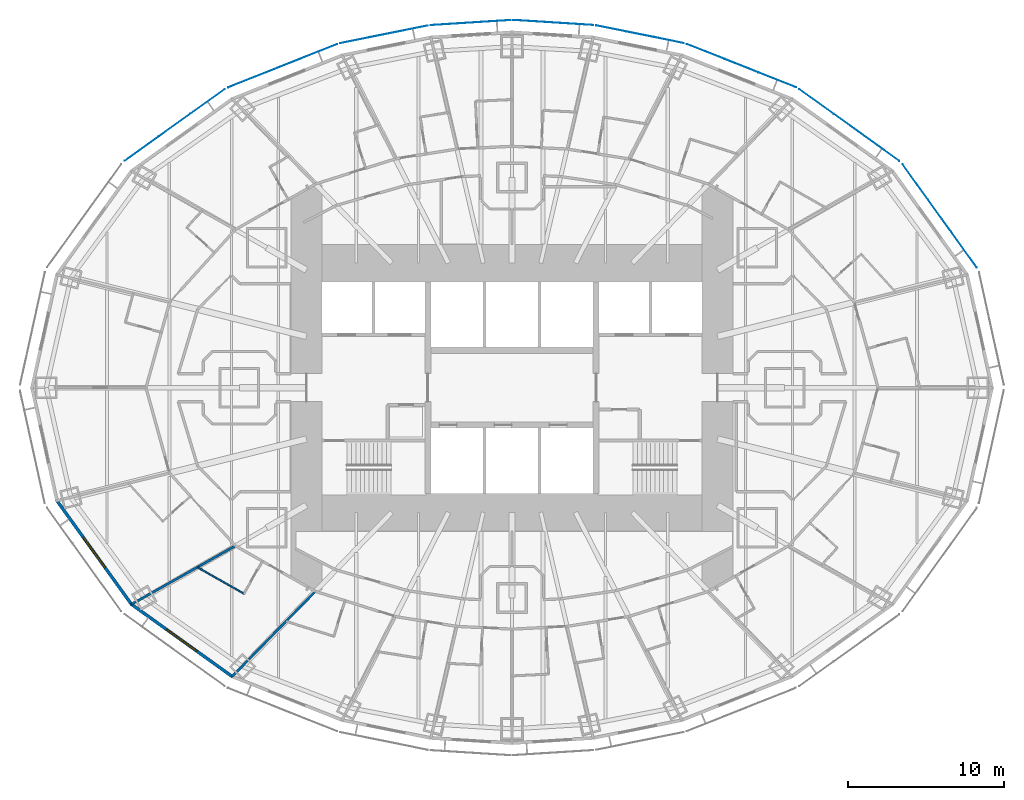
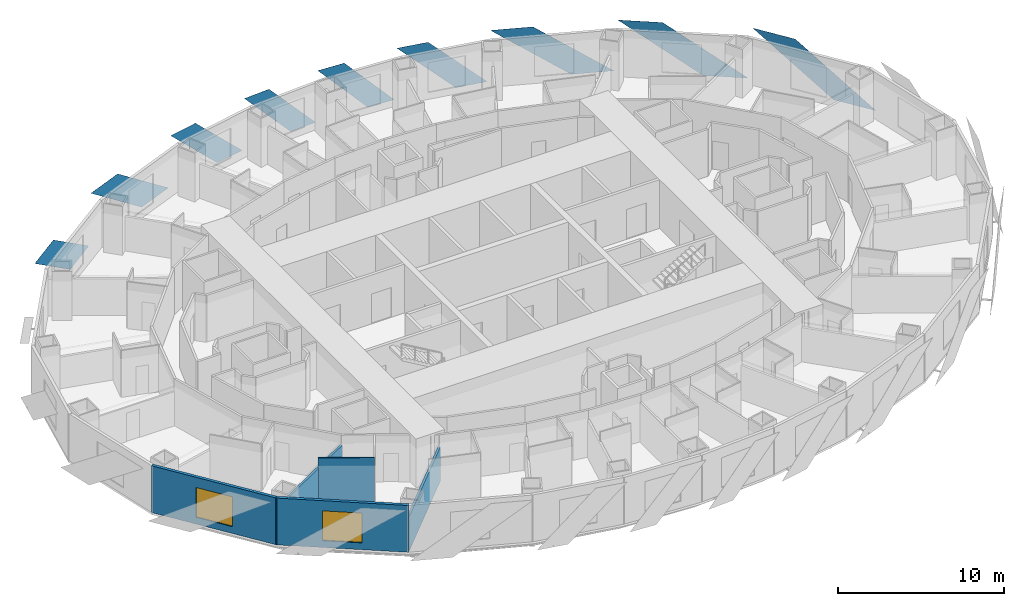
# One storey, part 4 of 17: 9 plates, 5 walls, 2 windows, 2 openings.
"""IFC4 building model written with IfcOpenShell, lengths in metres."""

from ifc_helpers import new_model, si_unit, direction, frame, frame_2d, origin, place, context, subcontext, project, spatial, polyline, rectangle, outline, extrude, material, layer, layer_set, type_object, element, fill, save


model = new_model("IFC4")

# Units and contexts
model_context = context("Model", 3, precision=1e-05, world=origin(), true_north=direction((0.0, 1.0)))
body_context = subcontext(model_context, "Body", "Model", "MODEL_VIEW")
ifc_project = project(units=[si_unit("LENGTHUNIT", "METRE"), si_unit("AREAUNIT", "SQUARE_METRE"), si_unit("VOLUMEUNIT", "CUBIC_METRE"), si_unit("PLANEANGLEUNIT", "RADIAN"), si_unit("MASSUNIT", "GRAM", prefix="KILO")], contexts=[model_context])

# Site, building, storey
site_placement = place(None, origin())
site = spatial("IfcSite", under=ifc_project, at=site_placement, CompositionType="ELEMENT")
building_placement = place(site_placement, origin())
building = spatial("IfcBuilding", under=site, at=building_placement, Name="Lantaw Convention Tower", CompositionType="ELEMENT")
storey_placement = place(building_placement, frame((0.0, 0.0, 40.60009765625)))
storey = spatial("IfcBuildingStorey", under=building, at=storey_placement, Name="L07", CompositionType="ELEMENT", Elevation=40.60009765625)

# Plates
ifc_material_1 = material(Name="Perforated aluminium sheet, pale silver finish", Category="aluminium")
ifc_layer_1 = layer(ifc_material_1, 0.006103515625)
ifc_layer_set_1 = layer_set([ifc_layer_1], Name="Perforated aluminium solar SCREEN panel")
plate_type = type_object("IfcPlateType", Name="Perforated aluminium solar SCREEN panel", PredefinedType="SHEET", material=ifc_layer_set_1)
plate_1_placement = place(storey_placement, frame((29.847900390625, 7.720947265625, -0.175048828125), z_axis=(0.811791382613, 0.583947558463, 9.019268e-06), x_axis=(-0.583947558486, 0.811791382646, 0.0)))
element("IfcPlate", 1, at=plate_1_placement, inside=storey, type_object=plate_type, Name="Solar SCREEN panel", PredefinedType="SHEET", context=body_context, shape_type="SweptSolid", body=[
    extrude(outline(polyline([(0.0, 0.0), (2.809541672291133, 0.0), (8.163093158837512, 3.739990234527119), (5.353551486546379, 3.739990234527119), (0.0, 0.0)])), origin(), (0.0, 0.0, -1.0), 0.006103515625),
])
plate_2_placement = place(storey_placement, frame((24.872314453125, 14.555908203125, -0.175048828125), z_axis=(0.582561421998, 0.812786681331, 1.5819417e-05), x_axis=(-0.812786681433, 0.582561422071, 0.0)))
element("IfcPlate", 2, at=plate_2_placement, inside=storey, type_object=plate_type, Name="Solar SCREEN panel", PredefinedType="SHEET", context=body_context, shape_type="SweptSolid", body=[
    extrude(outline(polyline([(0.0, 0.0), (2.721095180812288, 3.3881317890172014e-21), (7.903118572410756, 3.739990234842974), (5.182023391598468, 3.739990234842974), (0.0, 0.0)])), origin(), (0.0, 0.0, -1.0), 0.006103515625),
])
plate_3_placement = place(storey_placement, frame((18.232177734375, 19.278076171875, -0.175048828125), z_axis=(-0.369183532846, -0.929356508016, 9.163296e-06), x_axis=(-0.929356508055, 0.369183532862, 0.0)))
element("IfcPlate", 3, at=plate_3_placement, inside=storey, type_object=plate_type, Name="Solar SCREEN panel", PredefinedType="SHEET", context=body_context, shape_type="SweptSolid", body=[
    extrude(outline(polyline([(0.0, 0.0), (2.594936467166582, -1.6940658945086007e-21), (7.5321069917580825, -3.739990234532016), (4.937170524591499, -3.739990234532016), (0.0, 0.0)])), origin(), (0.0, 0.0, -1.0), 0.006103515625),
])
plate_4_placement = place(storey_placement, frame((11.03271484375, 22.117919921875, -0.175048828125), z_axis=(-0.197781876197, -0.980246055561, 2.418535e-06), x_axis=(-0.980246055563, 0.197781876198, 1.46e-10)))
element("IfcPlate", 4, at=plate_4_placement, inside=storey, type_object=plate_type, Name="Solar SCREEN panel", PredefinedType="SHEET", context=body_context, shape_type="SweptSolid", body=[
    extrude(outline(polyline([(0.0, 0.0), (1.9867801772236329, -3.1763735522036263e-22), (5.743587245978565, -3.7399902335493134), (3.7568553553458006, -3.739990234128105), (0.0, 0.0)])), origin(), (0.0, 0.0, -1.0), 0.006103515625),
])
plate_5_placement = place(storey_placement, frame((5.221923828125, 23.27783203125, -0.175048828125), z_axis=(-0.062923905251, -0.998018327468, 1.3605496e-05), x_axis=(-0.998018327561, 0.062923905257, 9.3e-10)))
element("IfcPlate", 5, at=plate_5_placement, inside=storey, type_object=plate_type, Name="Solar SCREEN panel", PredefinedType="SHEET", context=body_context, shape_type="SweptSolid", body=[
    extrude(outline(polyline([(0.0, 0.0), (1.7828375409377817, -2.117582368135751e-22), (5.143985963027618, -3.739990229938699), (3.3611637843713935, -3.7399902332537565), (0.0, 0.0)])), origin(), (0.0, 0.0, -1.0), 0.006103515625),
])
plate_6_placement = place(storey_placement, frame((-0.088134765625, 23.6015625, -0.175048828125), z_axis=(-0.062923905251, 0.998018327468, 1.3605496e-05), x_axis=(-0.998018327561, -0.062923905257, -9.3e-10)))
element("IfcPlate", 6, at=plate_6_placement, inside=storey, type_object=plate_type, Name="Solar SCREEN panel", PredefinedType="SHEET", context=body_context, shape_type="SweptSolid", body=[
    extrude(outline(polyline([(0.0, 0.0), (1.782822178656225, -2.117582368135751e-22), (5.143985956073316, 3.7399902395036517), (3.3611484151355353, 3.7399902361885653), (0.0, 0.0)])), origin(), (0.0, 0.0, -1.0), 0.006103515625),
])
plate_7_placement = place(storey_placement, frame((-5.402587890625, 23.25390625, -0.175048828125), z_axis=(-0.197781876197, 0.980246055561, 2.418535e-06), x_axis=(-0.980246055563, -0.197781876198, -1.46e-10)))
element("IfcPlate", 7, at=plate_7_placement, inside=storey, type_object=plate_type, Name="Solar SCREEN panel", PredefinedType="SHEET", context=body_context, shape_type="SweptSolid", body=[
    extrude(outline(polyline([(0.0, 0.0), (1.9867318906327642, 1.0587911840678754e-22), (5.743587244888999, 3.7399902352225842), (3.7568070676653664, 3.7399902346437783), (0.0, 0.0)])), origin(), (0.0, 0.0, -1.0), 0.006103515625),
])
plate_8_placement = place(storey_placement, frame((-11.232177734375, 22.058837890625, -0.175048828125), z_axis=(-0.369183532846, 0.929356508016, 9.163296e-06), x_axis=(-0.929356508055, -0.369183532862, 0.0)))
element("IfcPlate", 8, at=plate_8_placement, inside=storey, type_object=plate_type, Name="Solar SCREEN panel", PredefinedType="SHEET", context=body_context, shape_type="SweptSolid", body=[
    extrude(outline(polyline([(0.0, 0.0), (2.594936467166582, 1.6940658945086007e-21), (7.5321069917580825, 3.739990234532016), (4.937170524591499, 3.739990234532016), (0.0, 0.0)])), origin(), (0.0, 0.0, -1.0), 0.006103515625),
])
plate_9_placement = place(storey_placement, frame((-18.44873046875, 19.159912109375, -0.175048828125), z_axis=(0.582561421998, -0.812786681331, 1.5819417e-05), x_axis=(-0.812786681433, -0.582561422071, 0.0)))
element("IfcPlate", 9, at=plate_9_placement, inside=storey, type_object=plate_type, Name="Solar SCREEN panel", PredefinedType="SHEET", context=body_context, shape_type="SweptSolid", body=[
    extrude(outline(polyline([(0.0, 0.0), (2.721095180812288, -3.3881317890172014e-21), (7.903118572410756, -3.739990234842974), (5.182023391598468, -3.739990234842974), (0.0, 0.0)])), origin(), (0.0, 0.0, -1.0), 0.006103515625),
])

# Wall
ifc_material_2 = material(Name="Moisture resistant gypsum board on steel studs", Category="steel")
ifc_layer_2 = layer(ifc_material_2, 0.10009765625)
ifc_layer_set_2 = layer_set([ifc_layer_2], Name="Bathroom wall 100")
wall_type_1 = type_object("IfcWallType", Name="Bathroom wall 100", PredefinedType="PARTITIONING", material=ifc_layer_set_2)
wall_1_placement = place(storey_placement, frame((-17.21044921875, -13.224609375, 0.0), z_axis=(0.0, 0.0, 1.0), x_axis=(-0.869041592831, 0.494739032147, 0.0)))
element("IfcWall", 10, at=wall_1_placement, inside=storey, type_object=wall_type_1, Name="Bathroom wall 100", PredefinedType="PARTITIONING", context=body_context, shape_type="SweptSolid", body=[
    extrude(rectangle(XDim=3.419677734375, YDim=0.10009765625, at=frame_2d((1.7099609375, 0.0))), origin(), (0.0, 0.0, 1.0), 3.449951171875),
])

# Wall, opening, window
ifc_material_3 = material(Name="Insulated aluminium panel on steel frame", Category="steel")
ifc_layer_3 = layer(ifc_material_3, 0.199951171875)
ifc_layer_set_3 = layer_set([ifc_layer_3], Name="External wall 200")
wall_type_2 = type_object("IfcWallType", Name="External wall 200", PredefinedType="SOLIDWALL", material=ifc_layer_set_3)
wall_2_placement = place(storey_placement, frame((-29.260498046875, -7.199951171875, 0.0), z_axis=(0.0, 0.0, 1.0), x_axis=(0.583937613703, -0.811798536155, 0.0)))
wall_2 = element("IfcWall", 11, at=wall_2_placement, inside=storey, type_object=wall_type_2, Name="Facade panel wall", PredefinedType="SOLIDWALL", context=body_context, shape_type="SweptSolid", body=[
    extrude(rectangle(XDim=8.322998046875, YDim=0.199951171875, at=frame_2d((4.16162109375, 0.0))), origin(), (0.0, 0.0, 1.0), 3.449951171875),
])
opening_1_placement = place(wall_2_placement, frame((2.96142578125, 0.0, 0.5)))
opening_1 = element("IfcOpeningElement", 12, at=opening_1_placement, cuts=wall_2, Name="Opening W1", PredefinedType="OPENING", context=body_context, shape_type="SweptSolid", body=[
    extrude(rectangle(XDim=2.39990234375, YDim=2.199951171875, at=frame_2d((1.199951171875, 1.10009765625))), frame((0.0, 0.10986328125, 0.0), z_axis=(0.0, -1.0, 0.0), x_axis=(1.0, 0.0, 0.0)), (0.0, 0.0, 1.0), 0.219970703125),
])
ifc_material_4 = material(Name="Aluminium frame, clear insulating glass", Category="aluminium")
window_type = type_object("IfcWindowType", Name="Guest room window 2400x2200", PartitioningType="SINGLE_PANEL", PredefinedType="WINDOW", material=ifc_material_4)
window_1_placement = place(opening_1_placement, origin())
window_1 = element("IfcWindow", 13, at=window_1_placement, inside=storey, type_object=window_type, Name="Guest room window", OverallHeight=2.199951171875, OverallWidth=2.39990234375, PartitioningType="SINGLE_PANEL", PredefinedType="WINDOW", context=body_context, shape_type="SweptSolid", body=[
    extrude(rectangle(XDim=2.39990234375, YDim=2.199951171875, at=frame_2d((1.199951171875, 1.10009765625))), frame((0.0, 0.030029296875, 0.0), z_axis=(0.0, -1.0, 0.0), x_axis=(1.0, 0.0, 0.0)), (0.0, 0.0, 1.0), 0.06005859375),
])
fill(opening_1, window_1)

wall_3_placement = place(storey_placement, frame((-24.482421875, -13.87451171875, 0.0), z_axis=(0.0, 0.0, 1.0), x_axis=(0.812791321576, -0.582554948112, 0.0)))
wall_3 = element("IfcWall", 14, at=wall_3_placement, inside=storey, type_object=wall_type_2, Name="Facade panel wall", PredefinedType="SOLIDWALL", context=body_context, shape_type="SweptSolid", body=[
    extrude(rectangle(XDim=8.063232421875, YDim=0.199951171875, at=frame_2d((4.03173828125, 0.0))), origin(), (0.0, 0.0, 1.0), 3.449951171875),
])
opening_2_placement = place(wall_3_placement, frame((2.83154296875, 0.0, 0.5)))
opening_2 = element("IfcOpeningElement", 15, at=opening_2_placement, cuts=wall_3, Name="Opening W1", PredefinedType="OPENING", context=body_context, shape_type="SweptSolid", body=[
    extrude(rectangle(XDim=2.39990234375, YDim=2.199951171875, at=frame_2d((1.199951171875, 1.10009765625))), frame((0.0, 0.10986328125, 0.0), z_axis=(0.0, -1.0, 0.0), x_axis=(1.0, 0.0, 0.0)), (0.0, 0.0, 1.0), 0.219970703125),
])
window_2_placement = place(opening_2_placement, origin())
window_2 = element("IfcWindow", 16, at=window_2_placement, inside=storey, type_object=window_type, Name="Guest room window", OverallHeight=2.199951171875, OverallWidth=2.39990234375, PartitioningType="SINGLE_PANEL", PredefinedType="WINDOW", context=body_context, shape_type="SweptSolid", body=[
    extrude(rectangle(XDim=2.39990234375, YDim=2.199951171875, at=frame_2d((1.199951171875, 1.10009765625))), frame((0.0, 0.030029296875, 0.0), z_axis=(0.0, -1.0, 0.0), x_axis=(1.0, 0.0, 0.0)), (0.0, 0.0, 1.0), 0.06005859375),
])
fill(opening_2, window_2)

# Walls
ifc_material_5 = material(Name="Gypsum board on steel studs, acoustic", Category="steel")
ifc_layer_4 = layer(ifc_material_5, 0.14990234375)
ifc_layer_set_4 = layer_set([ifc_layer_4], Name="Guest room party wall 150")
wall_type_3 = type_object("IfcWallType", Name="Guest room party wall 150", PredefinedType="PARTITIONING", material=ifc_layer_set_4)
wall_4_placement = place(storey_placement, frame((-24.434814453125, -13.90869140625, 0.0), z_axis=(0.0, 0.0, 1.0), x_axis=(0.871267209855, 0.490808974074, 0.0)))
element("IfcWall", 17, at=wall_4_placement, inside=storey, type_object=wall_type_3, Name="Guest room party wall 150", PredefinedType="PARTITIONING", context=body_context, shape_type="SweptSolid", body=[
    extrude(rectangle(XDim=7.659423828125, YDim=0.14990234375, at=frame_2d((3.82958984375, 0.0))), origin(), (0.0, 0.0, 1.0), 2.69287109375),
])
wall_5_placement = place(storey_placement, frame((-17.970458984375, -18.541748046875, 0.0), z_axis=(0.0, 0.0, 1.0), x_axis=(0.699032031211, 0.715090357467, 0.0)))
element("IfcWall", 18, at=wall_5_placement, inside=storey, type_object=wall_type_3, Name="Guest room party wall 150", PredefinedType="PARTITIONING", context=body_context, shape_type="SweptSolid", body=[
    extrude(rectangle(XDim=7.647216796875, YDim=0.14990234375, at=frame_2d((3.82373046875, 0.0))), origin(), (0.0, 0.0, 1.0), 2.52783203125),
])

save(model, "model.ifc")
